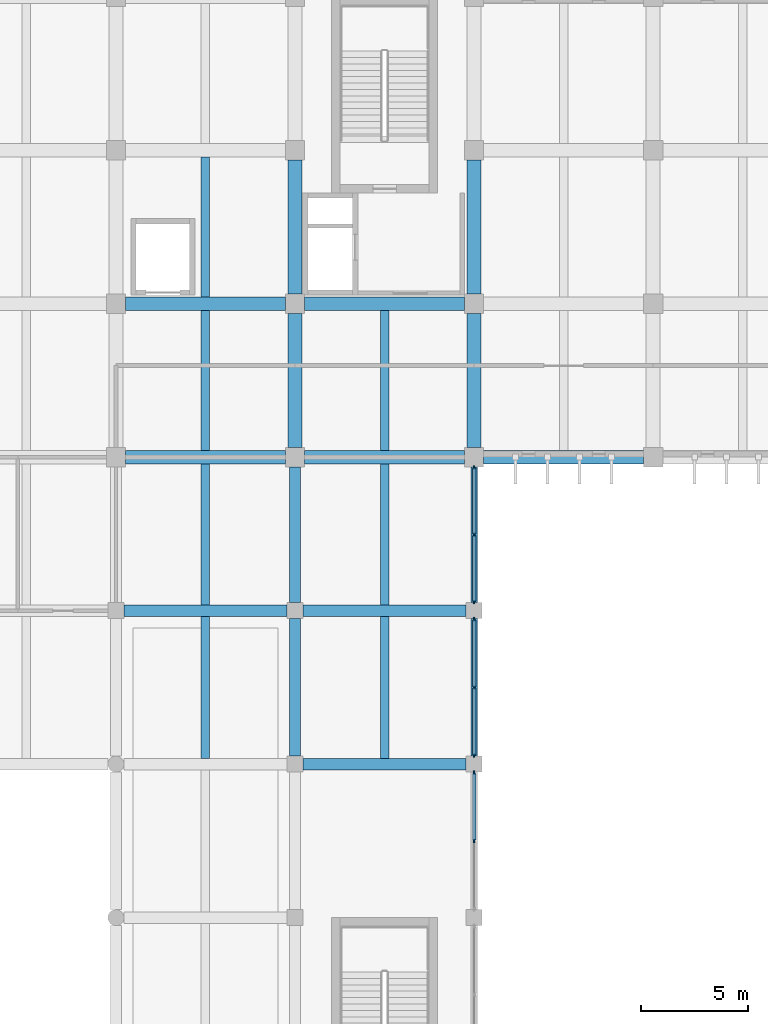
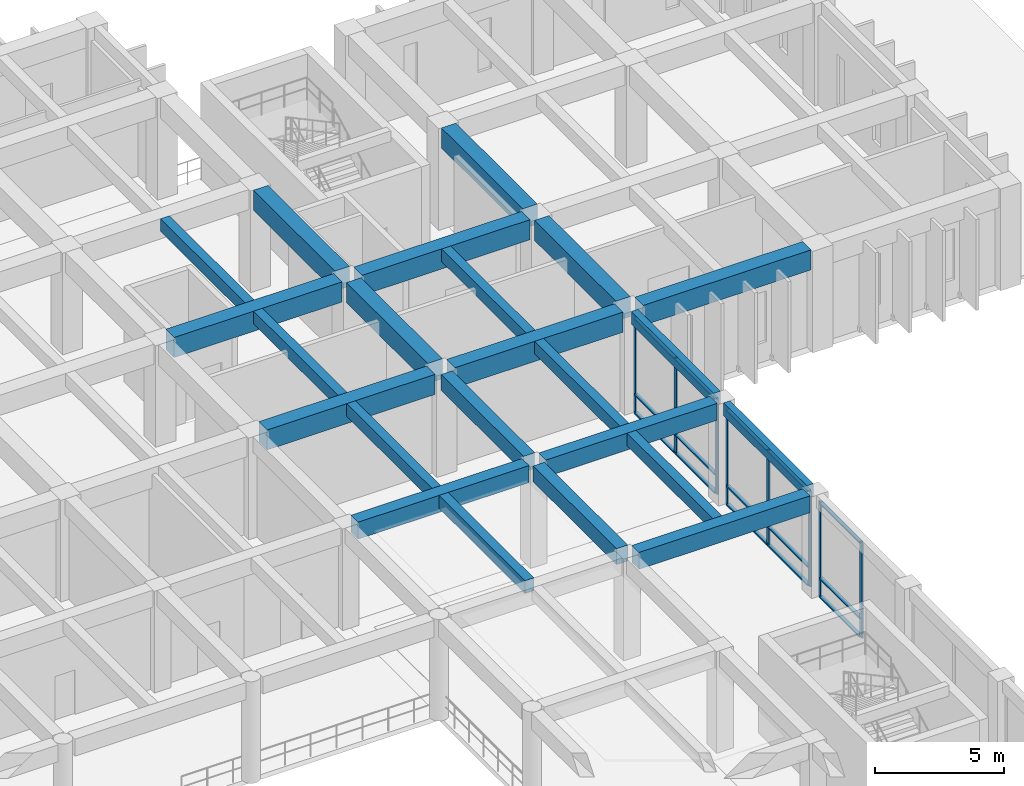
# One storey, part 23 of 52: 23 beams, 23 members, 3 elements without a shape of their own.
"""IFC4 building model written with IfcOpenShell, lengths in metres."""

from ifc_helpers import new_model, si_unit, direction, frame, origin, origin_2d, place, context, subcontext, project, spatial, rectangle, extrude, material, material_profile, profile_set, type_object, element, aggregate, save


model = new_model("IFC4")

# Units and contexts
model_context = context("Model", 3, precision=1e-05, world=origin(), true_north=direction((0.0, 1.0)))
body_context = subcontext(model_context, "Body", "Model", "MODEL_VIEW")
ifc_project = project(units=[si_unit("LENGTHUNIT", "METRE"), si_unit("AREAUNIT", "SQUARE_METRE"), si_unit("VOLUMEUNIT", "CUBIC_METRE"), si_unit("PLANEANGLEUNIT", "RADIAN"), si_unit("MASSUNIT", "GRAM", prefix="KILO")], contexts=[model_context])

# Site, building, storey
site_placement = place(None, origin())
site = spatial("IfcSite", under=ifc_project, at=site_placement, CompositionType="ELEMENT")
building_placement = place(site_placement, origin())
building = spatial("IfcBuilding", under=site, at=building_placement, Name="Kenerak Square Central Library", CompositionType="ELEMENT")
storey_placement = place(building_placement, frame((0.0, 0.0, 4.800048828125)))
storey = spatial("IfcBuildingStorey", under=building, at=storey_placement, Name="L01", CompositionType="ELEMENT", Elevation=4.800048828125)

# Beams
ifc_material_1 = material(Name="Concrete C45/55", Category="concrete")
ifc_material_profile_1 = material_profile(ifc_material_1, rectangle(XDim=0.64990234375, YDim=0.949951171875, at=origin_2d()), Name="RC 650x950")
ifc_profile_set_1 = profile_set([ifc_material_profile_1], Name="Concrete C45/55")
beam_type_1 = type_object("IfcBeamType", Name="Book Stack Girder B-02 RC 650x950 C45/55", PredefinedType="BEAM", material=ifc_profile_set_1)
for number, where, z_axis, x_axis, name in (
    (1, (100.85009765625, 88.800048828125, 4.324951171875), (1.0, 0.0, 0.0), (0.0, 1.0, 0.0), "Beam B-02 L01 0949"),
    (2, (109.25, 88.800048828125, 4.324951171875), (1.0, 0.0, 0.0), (0.0, 1.0, 0.0), "Beam B-02 L01 0950"),
    (3, (117.64990234375, 88.800048828125, 4.324951171875), (1.0, 0.0, 0.0), (0.0, 1.0, 0.0), "Beam B-02 L01 0951"),
    (4, (100.85009765625, 96.0, 4.324951171875), (1.0, 0.0, 0.0), (0.0, 1.0, 0.0), "Beam B-02 L01 0959"),
    (5, (109.25, 96.0, 4.324951171875), (1.0, 0.0, 0.0), (0.0, 1.0, 0.0), "Beam B-02 L01 0960"),
):
    element("IfcBeam", number, at=place(storey_placement, frame(where, z_axis=z_axis, x_axis=x_axis)), inside=storey, type_object=beam_type_1, Name=name, PredefinedType="BEAM", context=body_context, shape_type="SweptSolid", body=[
        extrude(rectangle(XDim=0.64990234375, YDim=0.949951171875, at=origin_2d()), origin(), (0.0, 0.0, 1.0), 7.5),
    ])
for number, where, z_axis, x_axis, name in (
    (6, (108.800048828125, 89.25, 4.324951171875), (0.0, 1.0, 0.0), (-1.0, 0.0, 0.0), "Beam B-02 L01 1068"),
    (7, (108.800048828125, 96.449951171875, 4.324951171875), (0.0, 1.0, 0.0), (-1.0, 0.0, 0.0), "Beam B-02 L01 1069"),
    (8, (117.199951171875, 89.25, 4.324951171875), (0.0, 1.0, 0.0), (-1.0, 0.0, 0.0), "Beam B-02 L01 1079"),
    (9, (117.199951171875, 96.449951171875, 4.324951171875), (0.0, 1.0, 0.0), (-1.0, 0.0, 0.0), "Beam B-02 L01 1080"),
):
    element("IfcBeam", number, at=place(storey_placement, frame(where, z_axis=z_axis, x_axis=x_axis)), inside=storey, type_object=beam_type_1, Name=name, PredefinedType="BEAM", context=body_context, shape_type="SweptSolid", body=[
        extrude(rectangle(XDim=0.64990234375, YDim=0.949951171875, at=origin_2d()), origin(), (0.0, 0.0, 1.0), 6.300048828125),
    ])
ifc_material_2 = material(Name="Concrete C40/50", Category="concrete")
ifc_material_profile_2 = material_profile(ifc_material_2, rectangle(XDim=0.300048828125, YDim=0.60009765625, at=origin_2d()), Name="RC 300x600")
ifc_profile_set_2 = profile_set([ifc_material_profile_2], Name="Concrete C40/50")
beam_type_2 = type_object("IfcBeamType", Name="Courtyard Spandrel Beam SP-02 RC 300x600 C40/50", PredefinedType="SPANDREL", material=ifc_profile_set_2)
beam_1_placement = place(storey_placement, frame((117.199951171875, 74.77490234375, 4.5), z_axis=(0.0, 1.0, 0.0), x_axis=(-1.0, 0.0, 0.0)))
element("IfcBeam", 10, at=beam_1_placement, inside=storey, type_object=beam_type_2, Name="Beam SP-02 L01 1077", PredefinedType="SPANDREL", context=body_context, shape_type="SweptSolid", body=[
    extrude(rectangle(XDim=0.300048828125, YDim=0.60009765625, at=origin_2d()), origin(), (0.0, 0.0, 1.0), 6.4501953125),
])
beam_2_placement = place(storey_placement, frame((117.199951171875, 81.97509765625, 4.5), z_axis=(0.0, 1.0, 0.0), x_axis=(-1.0, 0.0, 0.0)))
element("IfcBeam", 11, at=beam_2_placement, inside=storey, type_object=beam_type_2, Name="Beam SP-02 L01 1078", PredefinedType="SPANDREL", context=body_context, shape_type="SweptSolid", body=[
    extrude(rectangle(XDim=0.300048828125, YDim=0.60009765625, at=origin_2d()), origin(), (0.0, 0.0, 1.0), 6.375),
])

# Curtain wall, members
ifc_material_3 = material(Name="Anodised aluminium and solar-control low-E glazing", Category="aluminium")
curtain_wall_type_1 = type_object("IfcCurtainWallType", Name="Curtain Wall CW-V4-63x45 6375x4500", PredefinedType="USERDEFINED", material=ifc_material_3)
curtain_wall_1_placement = place(storey_placement, origin())
curtain_wall_1 = element("IfcCurtainWall", 12, at=curtain_wall_1_placement, inside=storey, type_object=curtain_wall_type_1, Name="Curtain Wall CW-V4-63x45 L01 0028", ObjectType="CURTAIN WALL", PredefinedType="USERDEFINED")
ifc_material_4 = material(Name="Anodised aluminium 6063-T6", Category="aluminium")
ifc_material_profile_3 = material_profile(ifc_material_4, rectangle(XDim=0.06494140625, YDim=0.179931640625, at=origin_2d()), Name="AL MULLION 65x180")
ifc_profile_set_3 = profile_set([ifc_material_profile_3], Name="Anodised aluminium 6063-T6")
member_type_1 = type_object("IfcMemberType", Name="Curtain Mullion CM-01 65x180", PredefinedType="MULLION", material=ifc_profile_set_3)
member_1_placement = place(storey_placement, frame((117.199951171875, 88.3173828125, 0.0), z_axis=(0.0, 0.0, 1.0), x_axis=(1.0, 0.0, 0.0)))
member_1 = element("IfcMember", 13, at=member_1_placement, type_object=member_type_1, Name="CW-V4-63x45 Mullion 1", PredefinedType="MULLION", context=body_context, shape_type="SweptSolid", body=[
    extrude(rectangle(XDim=0.06494140625, YDim=0.179931640625, at=origin_2d()), origin(), (0.0, 0.0, 1.0), 4.5),
])
member_2_placement = place(storey_placement, frame((117.199951171875, 85.16259765625, 0.0), z_axis=(0.0, 0.0, 1.0), x_axis=(1.0, 0.0, 0.0)))
member_2 = element("IfcMember", 14, at=member_2_placement, type_object=member_type_1, Name="CW-V4-63x45 Mullion 2", PredefinedType="MULLION", context=body_context, shape_type="SweptSolid", body=[
    extrude(rectangle(XDim=0.06494140625, YDim=0.179931640625, at=origin_2d()), origin(), (0.0, 0.0, 1.0), 4.5),
])
member_3_placement = place(storey_placement, frame((117.199951171875, 82.007568359375, 0.0), z_axis=(0.0, 0.0, 1.0), x_axis=(1.0, 0.0, 0.0)))
member_3 = element("IfcMember", 15, at=member_3_placement, type_object=member_type_1, Name="CW-V4-63x45 Mullion 3", PredefinedType="MULLION", context=body_context, shape_type="SweptSolid", body=[
    extrude(rectangle(XDim=0.06494140625, YDim=0.179931640625, at=origin_2d()), origin(), (0.0, 0.0, 1.0), 4.5),
])

curtain_wall_type_2 = type_object("IfcCurtainWallType", Name="Curtain Wall CW-V4-64x45 6450x4500", PredefinedType="USERDEFINED", material=ifc_material_3)
curtain_wall_2_placement = place(storey_placement, origin())
curtain_wall_2 = element("IfcCurtainWall", 16, at=curtain_wall_2_placement, inside=storey, type_object=curtain_wall_type_2, Name="Curtain Wall CW-V4-64x45 L01 0029", ObjectType="CURTAIN WALL", PredefinedType="USERDEFINED")
member_4_placement = place(storey_placement, frame((117.199951171875, 81.1923828125, 0.0), z_axis=(0.0, 0.0, 1.0), x_axis=(1.0, 0.0, 0.0)))
member_4 = element("IfcMember", 17, at=member_4_placement, type_object=member_type_1, Name="CW-V4-64x45 Mullion 1", PredefinedType="MULLION", context=body_context, shape_type="SweptSolid", body=[
    extrude(rectangle(XDim=0.06494140625, YDim=0.179931640625, at=origin_2d()), origin(), (0.0, 0.0, 1.0), 4.5),
])
member_5_placement = place(storey_placement, frame((117.199951171875, 78.0, 0.0), z_axis=(0.0, 0.0, 1.0), x_axis=(1.0, 0.0, 0.0)))
member_5 = element("IfcMember", 18, at=member_5_placement, type_object=member_type_1, Name="CW-V4-64x45 Mullion 2", PredefinedType="MULLION", context=body_context, shape_type="SweptSolid", body=[
    extrude(rectangle(XDim=0.06494140625, YDim=0.179931640625, at=origin_2d()), origin(), (0.0, 0.0, 1.0), 4.5),
])
member_6_placement = place(storey_placement, frame((117.199951171875, 74.8076171875, 0.0), z_axis=(0.0, 0.0, 1.0), x_axis=(1.0, 0.0, 0.0)))
member_6 = element("IfcMember", 19, at=member_6_placement, type_object=member_type_1, Name="CW-V4-64x45 Mullion 3", PredefinedType="MULLION", context=body_context, shape_type="SweptSolid", body=[
    extrude(rectangle(XDim=0.06494140625, YDim=0.179931640625, at=origin_2d()), origin(), (0.0, 0.0, 1.0), 4.5),
])

curtain_wall_3_placement = place(storey_placement, origin())
curtain_wall_3 = element("IfcCurtainWall", 20, at=curtain_wall_3_placement, inside=storey, type_object=curtain_wall_type_2, Name="Curtain Wall CW-V4-64x45 L01 0030", ObjectType="CURTAIN WALL", PredefinedType="USERDEFINED")
member_7_placement = place(storey_placement, frame((117.199951171875, 73.992431640625, 0.0), z_axis=(0.0, 0.0, 1.0), x_axis=(1.0, 0.0, 0.0)))
member_7 = element("IfcMember", 21, at=member_7_placement, type_object=member_type_1, Name="CW-V4-64x45 Mullion 1", PredefinedType="MULLION", context=body_context, shape_type="SweptSolid", body=[
    extrude(rectangle(XDim=0.06494140625, YDim=0.179931640625, at=origin_2d()), origin(), (0.0, 0.0, 1.0), 4.5),
])
member_8_placement = place(storey_placement, frame((117.199951171875, 70.800048828125, 0.0), z_axis=(0.0, 0.0, 1.0), x_axis=(1.0, 0.0, 0.0)))
member_8 = element("IfcMember", 22, at=member_8_placement, type_object=member_type_1, Name="CW-V4-64x45 Mullion 2", PredefinedType="MULLION", context=body_context, shape_type="SweptSolid", body=[
    extrude(rectangle(XDim=0.06494140625, YDim=0.179931640625, at=origin_2d()), origin(), (0.0, 0.0, 1.0), 4.5),
])

# Member
ifc_material_profile_4 = material_profile(ifc_material_4, rectangle(XDim=0.159912109375, YDim=0.06494140625, at=origin_2d()), Name="AL TRANSOM 160x65")
ifc_profile_set_4 = profile_set([ifc_material_profile_4], Name="Anodised aluminium 6063-T6")
member_type_2 = type_object("IfcMemberType", Name="Curtain Transom CT-11 160x65", PredefinedType="USERDEFINED", material=ifc_profile_set_4)
member_9_placement = place(storey_placement, frame((117.199951171875, 88.284912109375, 0.032470703125), z_axis=(0.0, -1.0, 0.0), x_axis=(1.0, 0.0, 0.0)))
member_9 = element("IfcMember", 23, at=member_9_placement, type_object=member_type_2, Name="CW-V4-63x45 Transom 1.1", ObjectType="TRANSOM", PredefinedType="USERDEFINED", context=body_context, shape_type="SweptSolid", body=[
    extrude(rectangle(XDim=0.159912109375, YDim=0.06494140625, at=origin_2d()), origin(), (0.0, 0.0, 1.0), 3.08984375),
])

member_10_placement = place(storey_placement, frame((117.199951171875, 88.284912109375, 0.89990234375), z_axis=(0.0, -1.0, 0.0), x_axis=(1.0, 0.0, 0.0)))
member_10 = element("IfcMember", 24, at=member_10_placement, type_object=member_type_2, Name="CW-V4-63x45 Transom 1.2", ObjectType="TRANSOM", PredefinedType="USERDEFINED", context=body_context, shape_type="SweptSolid", body=[
    extrude(rectangle(XDim=0.159912109375, YDim=0.06494140625, at=origin_2d()), origin(), (0.0, 0.0, 1.0), 3.08984375),
])

member_11_placement = place(storey_placement, frame((117.199951171875, 88.284912109375, 4.467529296875), z_axis=(0.0, -1.0, 0.0), x_axis=(1.0, 0.0, 0.0)))
member_11 = element("IfcMember", 25, at=member_11_placement, type_object=member_type_2, Name="CW-V4-63x45 Transom 1.3", ObjectType="TRANSOM", PredefinedType="USERDEFINED", context=body_context, shape_type="SweptSolid", body=[
    extrude(rectangle(XDim=0.159912109375, YDim=0.06494140625, at=origin_2d()), origin(), (0.0, 0.0, 1.0), 3.08984375),
])

member_12_placement = place(storey_placement, frame((117.199951171875, 85.1298828125, 0.032470703125), z_axis=(0.0, -1.0, 0.0), x_axis=(1.0, 0.0, 0.0)))
member_12 = element("IfcMember", 26, at=member_12_placement, type_object=member_type_2, Name="CW-V4-63x45 Transom 2.1", ObjectType="TRANSOM", PredefinedType="USERDEFINED", context=body_context, shape_type="SweptSolid", body=[
    extrude(rectangle(XDim=0.159912109375, YDim=0.06494140625, at=origin_2d()), origin(), (0.0, 0.0, 1.0), 3.08984375),
])

member_13_placement = place(storey_placement, frame((117.199951171875, 85.1298828125, 0.89990234375), z_axis=(0.0, -1.0, 0.0), x_axis=(1.0, 0.0, 0.0)))
member_13 = element("IfcMember", 27, at=member_13_placement, type_object=member_type_2, Name="CW-V4-63x45 Transom 2.2", ObjectType="TRANSOM", PredefinedType="USERDEFINED", context=body_context, shape_type="SweptSolid", body=[
    extrude(rectangle(XDim=0.159912109375, YDim=0.06494140625, at=origin_2d()), origin(), (0.0, 0.0, 1.0), 3.08984375),
])

member_14_placement = place(storey_placement, frame((117.199951171875, 85.1298828125, 4.467529296875), z_axis=(0.0, -1.0, 0.0), x_axis=(1.0, 0.0, 0.0)))
member_14 = element("IfcMember", 28, at=member_14_placement, type_object=member_type_2, Name="CW-V4-63x45 Transom 2.3", ObjectType="TRANSOM", PredefinedType="USERDEFINED", context=body_context, shape_type="SweptSolid", body=[
    extrude(rectangle(XDim=0.159912109375, YDim=0.06494140625, at=origin_2d()), origin(), (0.0, 0.0, 1.0), 3.08984375),
])

aggregate(curtain_wall_1, [member_1, member_2, member_3, member_9, member_10, member_11, member_12, member_13, member_14])

member_15_placement = place(storey_placement, frame((117.199951171875, 81.159912109375, 0.032470703125), z_axis=(0.0, -1.0, 0.0), x_axis=(1.0, 0.0, 0.0)))
member_15 = element("IfcMember", 29, at=member_15_placement, type_object=member_type_2, Name="CW-V4-64x45 Transom 1.1", ObjectType="TRANSOM", PredefinedType="USERDEFINED", context=body_context, shape_type="SweptSolid", body=[
    extrude(rectangle(XDim=0.159912109375, YDim=0.06494140625, at=origin_2d()), origin(), (0.0, 0.0, 1.0), 3.12744140625),
])

member_16_placement = place(storey_placement, frame((117.199951171875, 81.159912109375, 0.89990234375), z_axis=(0.0, -1.0, 0.0), x_axis=(1.0, 0.0, 0.0)))
member_16 = element("IfcMember", 30, at=member_16_placement, type_object=member_type_2, Name="CW-V4-64x45 Transom 1.2", ObjectType="TRANSOM", PredefinedType="USERDEFINED", context=body_context, shape_type="SweptSolid", body=[
    extrude(rectangle(XDim=0.159912109375, YDim=0.06494140625, at=origin_2d()), origin(), (0.0, 0.0, 1.0), 3.12744140625),
])

member_17_placement = place(storey_placement, frame((117.199951171875, 81.159912109375, 4.467529296875), z_axis=(0.0, -1.0, 0.0), x_axis=(1.0, 0.0, 0.0)))
member_17 = element("IfcMember", 31, at=member_17_placement, type_object=member_type_2, Name="CW-V4-64x45 Transom 1.3", ObjectType="TRANSOM", PredefinedType="USERDEFINED", context=body_context, shape_type="SweptSolid", body=[
    extrude(rectangle(XDim=0.159912109375, YDim=0.06494140625, at=origin_2d()), origin(), (0.0, 0.0, 1.0), 3.12744140625),
])

member_18_placement = place(storey_placement, frame((117.199951171875, 77.967529296875, 0.032470703125), z_axis=(0.0, -1.0, 0.0), x_axis=(1.0, 0.0, 0.0)))
member_18 = element("IfcMember", 32, at=member_18_placement, type_object=member_type_2, Name="CW-V4-64x45 Transom 2.1", ObjectType="TRANSOM", PredefinedType="USERDEFINED", context=body_context, shape_type="SweptSolid", body=[
    extrude(rectangle(XDim=0.159912109375, YDim=0.06494140625, at=origin_2d()), origin(), (0.0, 0.0, 1.0), 3.12744140625),
])

member_19_placement = place(storey_placement, frame((117.199951171875, 77.967529296875, 0.89990234375), z_axis=(0.0, -1.0, 0.0), x_axis=(1.0, 0.0, 0.0)))
member_19 = element("IfcMember", 33, at=member_19_placement, type_object=member_type_2, Name="CW-V4-64x45 Transom 2.2", ObjectType="TRANSOM", PredefinedType="USERDEFINED", context=body_context, shape_type="SweptSolid", body=[
    extrude(rectangle(XDim=0.159912109375, YDim=0.06494140625, at=origin_2d()), origin(), (0.0, 0.0, 1.0), 3.12744140625),
])

member_20_placement = place(storey_placement, frame((117.199951171875, 77.967529296875, 4.467529296875), z_axis=(0.0, -1.0, 0.0), x_axis=(1.0, 0.0, 0.0)))
member_20 = element("IfcMember", 34, at=member_20_placement, type_object=member_type_2, Name="CW-V4-64x45 Transom 2.3", ObjectType="TRANSOM", PredefinedType="USERDEFINED", context=body_context, shape_type="SweptSolid", body=[
    extrude(rectangle(XDim=0.159912109375, YDim=0.06494140625, at=origin_2d()), origin(), (0.0, 0.0, 1.0), 3.12744140625),
])

aggregate(curtain_wall_2, [member_4, member_5, member_6, member_15, member_16, member_17, member_18, member_19, member_20])

member_21_placement = place(storey_placement, frame((117.199951171875, 73.9599609375, 0.032470703125), z_axis=(0.0, -1.0, 0.0), x_axis=(1.0, 0.0, 0.0)))
member_21 = element("IfcMember", 35, at=member_21_placement, type_object=member_type_2, Name="CW-V4-64x45 Transom 1.1", ObjectType="TRANSOM", PredefinedType="USERDEFINED", context=body_context, shape_type="SweptSolid", body=[
    extrude(rectangle(XDim=0.159912109375, YDim=0.06494140625, at=origin_2d()), origin(), (0.0, 0.0, 1.0), 3.12744140625),
])

member_22_placement = place(storey_placement, frame((117.199951171875, 73.9599609375, 0.89990234375), z_axis=(0.0, -1.0, 0.0), x_axis=(1.0, 0.0, 0.0)))
member_22 = element("IfcMember", 36, at=member_22_placement, type_object=member_type_2, Name="CW-V4-64x45 Transom 1.2", ObjectType="TRANSOM", PredefinedType="USERDEFINED", context=body_context, shape_type="SweptSolid", body=[
    extrude(rectangle(XDim=0.159912109375, YDim=0.06494140625, at=origin_2d()), origin(), (0.0, 0.0, 1.0), 3.12744140625),
])

member_23_placement = place(storey_placement, frame((117.199951171875, 73.9599609375, 4.467529296875), z_axis=(0.0, -1.0, 0.0), x_axis=(1.0, 0.0, 0.0)))
member_23 = element("IfcMember", 37, at=member_23_placement, type_object=member_type_2, Name="CW-V4-64x45 Transom 1.3", ObjectType="TRANSOM", PredefinedType="USERDEFINED", context=body_context, shape_type="SweptSolid", body=[
    extrude(rectangle(XDim=0.159912109375, YDim=0.06494140625, at=origin_2d()), origin(), (0.0, 0.0, 1.0), 3.12744140625),
])

aggregate(curtain_wall_3, [member_7, member_8, member_21, member_22, member_23])

# Beams
ifc_material_profile_5 = material_profile(ifc_material_2, rectangle(XDim=0.550048828125, YDim=0.800048828125, at=origin_2d()), Name="RC 550x800")
ifc_profile_set_5 = profile_set([ifc_material_profile_5], Name="Concrete C40/50")
beam_type_3 = type_object("IfcBeamType", Name="Primary Reading Beam B-04 RC 550x800 C40/50", PredefinedType="BEAM", material=ifc_profile_set_5)
beam_3_placement = place(storey_placement, frame((109.175048828125, 74.39990234375, 4.39990234375), z_axis=(1.0, 0.0, 0.0), x_axis=(0.0, 1.0, 0.0)))
element("IfcBeam", 38, at=beam_3_placement, inside=storey, type_object=beam_type_3, Name="Beam B-04 L01 0936", PredefinedType="BEAM", context=body_context, shape_type="SweptSolid", body=[
    extrude(rectangle(XDim=0.550048828125, YDim=0.800048828125, at=origin_2d()), origin(), (0.0, 0.0, 1.0), 7.64990234375),
])
beam_4_placement = place(storey_placement, frame((100.77490234375, 81.60009765625, 4.39990234375), z_axis=(1.0, 0.0, 0.0), x_axis=(0.0, 1.0, 0.0)))
element("IfcBeam", 39, at=beam_4_placement, inside=storey, type_object=beam_type_3, Name="Beam B-04 L01 0941", PredefinedType="BEAM", context=body_context, shape_type="SweptSolid", body=[
    extrude(rectangle(XDim=0.550048828125, YDim=0.800048828125, at=origin_2d()), origin(), (0.0, 0.0, 1.0), 7.650146484375),
])
beam_5_placement = place(storey_placement, frame((109.175048828125, 81.60009765625, 4.39990234375), z_axis=(1.0, 0.0, 0.0), x_axis=(0.0, 1.0, 0.0)))
element("IfcBeam", 40, at=beam_5_placement, inside=storey, type_object=beam_type_3, Name="Beam B-04 L01 0942", PredefinedType="BEAM", context=body_context, shape_type="SweptSolid", body=[
    extrude(rectangle(XDim=0.550048828125, YDim=0.800048828125, at=origin_2d()), origin(), (0.0, 0.0, 1.0), 7.64990234375),
])
ifc_material_profile_6 = material_profile(ifc_material_2, rectangle(XDim=0.39990234375, YDim=0.60009765625, at=origin_2d()), Name="RC 400x600")
ifc_profile_set_6 = profile_set([ifc_material_profile_6], Name="Concrete C40/50")
beam_type_4 = type_object("IfcBeamType", Name="Secondary Floor Joist J-01 RC 400x600 C40/50", PredefinedType="JOIST", material=ifc_profile_set_6)
beam_6_placement = place(storey_placement, frame((104.60009765625, 74.675048828125, 4.5), z_axis=(0.0, 1.0, 0.0), x_axis=(-1.0, 0.0, 0.0)))
element("IfcBeam", 41, at=beam_6_placement, inside=storey, type_object=beam_type_4, Name="Joist J-01 L01 1162", PredefinedType="JOIST", context=body_context, shape_type="SweptSolid", body=[
    extrude(rectangle(XDim=0.39990234375, YDim=0.60009765625, at=origin_2d()), origin(), (0.0, 0.0, 1.0), 6.64990234375),
])
beam_7_placement = place(storey_placement, frame((104.60009765625, 81.875, 4.5), z_axis=(0.0, 1.0, 0.0), x_axis=(-1.0, 0.0, 0.0)))
element("IfcBeam", 42, at=beam_7_placement, inside=storey, type_object=beam_type_4, Name="Joist J-01 L01 1163", PredefinedType="JOIST", context=body_context, shape_type="SweptSolid", body=[
    extrude(rectangle(XDim=0.39990234375, YDim=0.60009765625, at=origin_2d()), origin(), (0.0, 0.0, 1.0), 6.60009765625),
])
for number, where, z_axis, x_axis, name in (
    (43, (104.60009765625, 89.125, 4.5), (0.0, 1.0, 0.0), (-1.0, 0.0, 0.0), "Joist J-01 L01 1164"),
    (44, (104.60009765625, 96.324951171875, 4.5), (0.0, 1.0, 0.0), (-1.0, 0.0, 0.0), "Joist J-01 L01 1165"),
):
    element("IfcBeam", number, at=place(storey_placement, frame(where, z_axis=z_axis, x_axis=x_axis)), inside=storey, type_object=beam_type_4, Name=name, PredefinedType="JOIST", context=body_context, shape_type="SweptSolid", body=[
        extrude(rectangle(XDim=0.39990234375, YDim=0.60009765625, at=origin_2d()), origin(), (0.0, 0.0, 1.0), 6.550048828125),
    ])
beam_8_placement = place(storey_placement, frame((113.0, 74.675048828125, 4.5), z_axis=(0.0, 1.0, 0.0), x_axis=(-1.0, 0.0, 0.0)))
element("IfcBeam", 45, at=beam_8_placement, inside=storey, type_object=beam_type_4, Name="Joist J-01 L01 1170", PredefinedType="JOIST", context=body_context, shape_type="SweptSolid", body=[
    extrude(rectangle(XDim=0.39990234375, YDim=0.60009765625, at=origin_2d()), origin(), (0.0, 0.0, 1.0), 6.64990234375),
])
beam_9_placement = place(storey_placement, frame((113.0, 81.875, 4.5), z_axis=(0.0, 1.0, 0.0), x_axis=(-1.0, 0.0, 0.0)))
element("IfcBeam", 46, at=beam_9_placement, inside=storey, type_object=beam_type_4, Name="Joist J-01 L01 1171", PredefinedType="JOIST", context=body_context, shape_type="SweptSolid", body=[
    extrude(rectangle(XDim=0.39990234375, YDim=0.60009765625, at=origin_2d()), origin(), (0.0, 0.0, 1.0), 6.60009765625),
])
beam_10_placement = place(storey_placement, frame((113.0, 89.125, 4.5), z_axis=(0.0, 1.0, 0.0), x_axis=(-1.0, 0.0, 0.0)))
element("IfcBeam", 47, at=beam_10_placement, inside=storey, type_object=beam_type_4, Name="Joist J-01 L01 1172", PredefinedType="JOIST", context=body_context, shape_type="SweptSolid", body=[
    extrude(rectangle(XDim=0.39990234375, YDim=0.60009765625, at=origin_2d()), origin(), (0.0, 0.0, 1.0), 6.550048828125),
])
ifc_material_profile_7 = material_profile(ifc_material_2, rectangle(XDim=0.5, YDim=0.75, at=origin_2d()), Name="RC 500x750")
ifc_profile_set_7 = profile_set([ifc_material_profile_7], Name="Concrete C40/50")
beam_type_5 = type_object("IfcBeamType", Name="Transverse Frame Beam B-05 RC 500x750 C40/50", PredefinedType="BEAM", material=ifc_profile_set_7)
beam_11_placement = place(storey_placement, frame((108.800048828125, 74.77490234375, 4.425048828125), z_axis=(0.0, 1.0, 0.0), x_axis=(-1.0, 0.0, 0.0)))
element("IfcBeam", 48, at=beam_11_placement, inside=storey, type_object=beam_type_5, Name="Beam B-05 L01 1066", PredefinedType="BEAM", context=body_context, shape_type="SweptSolid", body=[
    extrude(rectangle(XDim=0.5, YDim=0.75, at=origin_2d()), origin(), (0.0, 0.0, 1.0), 6.4501953125),
])
beam_12_placement = place(storey_placement, frame((108.800048828125, 81.97509765625, 4.425048828125), z_axis=(0.0, 1.0, 0.0), x_axis=(-1.0, 0.0, 0.0)))
element("IfcBeam", 49, at=beam_12_placement, inside=storey, type_object=beam_type_5, Name="Beam B-05 L01 1067", PredefinedType="BEAM", context=body_context, shape_type="SweptSolid", body=[
    extrude(rectangle(XDim=0.5, YDim=0.75, at=origin_2d()), origin(), (0.0, 0.0, 1.0), 6.375),
])

save(model, "model.ifc")
